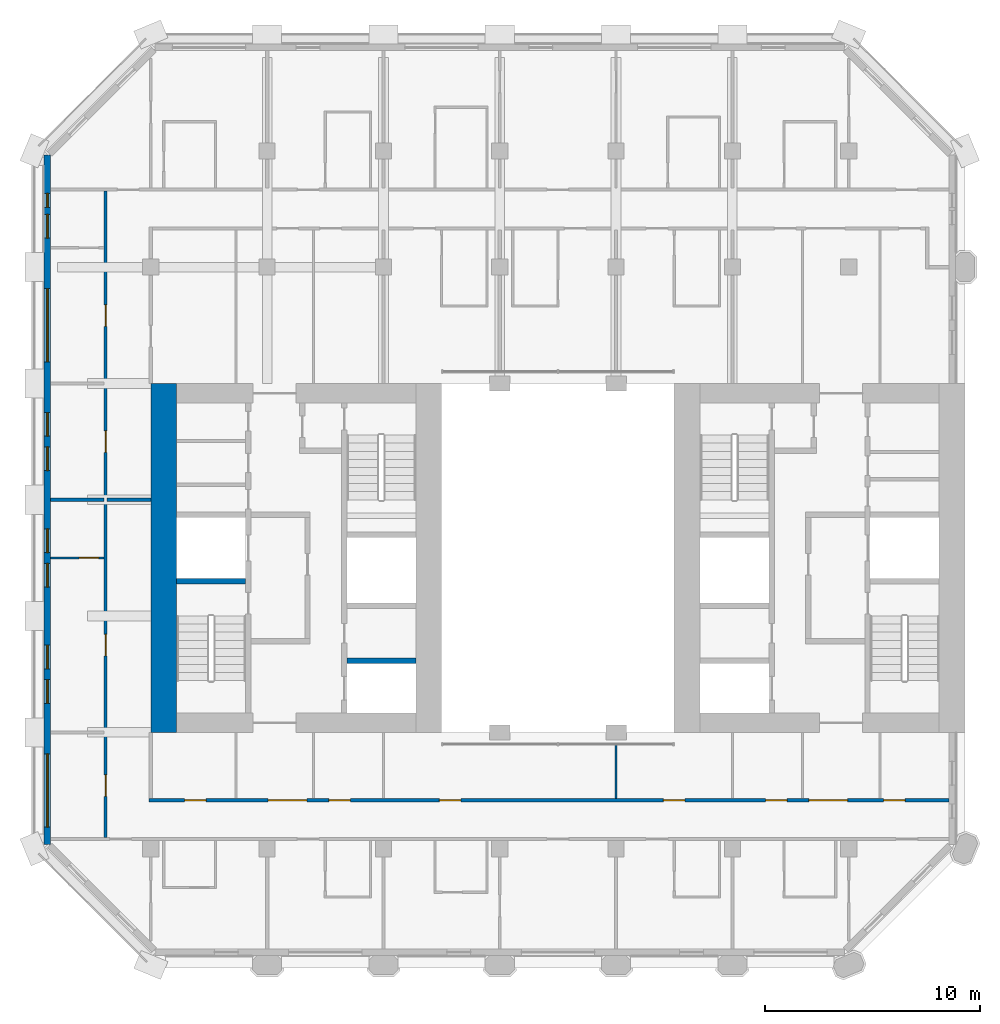
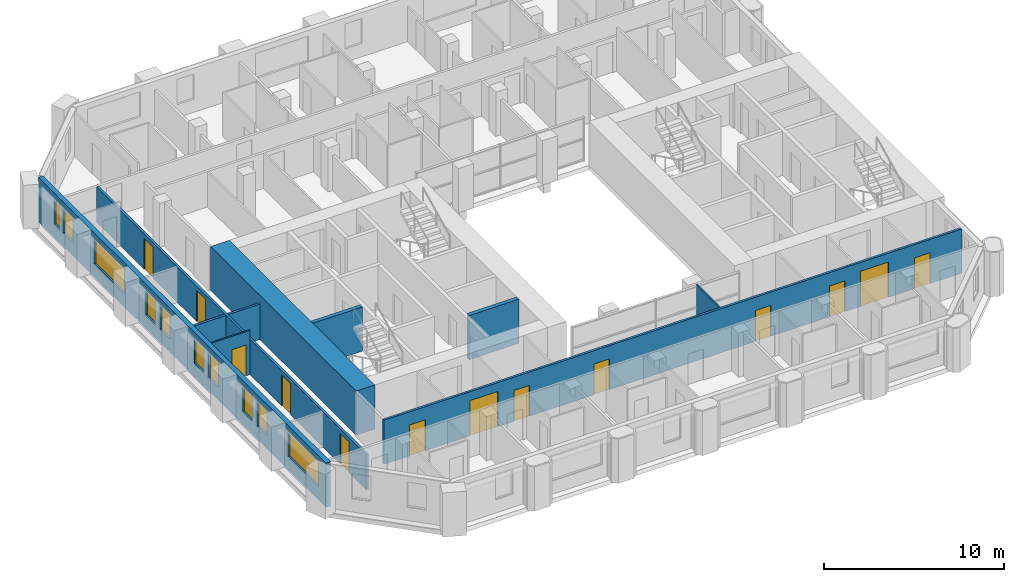
# One storey, part 7 of 14: 13 doors, 10 walls, 10 windows, 23 openings.
"""IFC4 building model written with IfcOpenShell, lengths in metres."""

import ifcopenshell
import ifcopenshell.guid

model = None  # the IFC model being written
_history = None  # IfcOwnerHistory: only IFC2X3 demands one
_inside = {}  # id of a spatial element -> (the spatial element, [elements in it])
_under = {}  # id of a project, library or spatial element -> (it, [spatial elements below it])
_declared = {}  # id of a project -> (the project, [libraries it declares])
_typed = {}  # id of a type object -> (the type object, [elements of that type])
_made_of = {}  # id of a material, layer set ... -> (it, [elements and type objects made of it])


def new_model(schema):
    """Start an empty IFC model of exactly this schema.

    Asked for "IFC4X3", IfcOpenShell would pick the latest addendum, in which some entities
    have other attributes; the version numbers below select the first issue.
    IFC2X3 requires an IfcOwnerHistory on every rooted entity: one is made here for all.
    """
    global model, _history
    if schema == "IFC4X3":
        model = ifcopenshell.file(schema_version=(4, 3, 0, 0))
    else:
        model = ifcopenshell.file(schema=schema)
    _inside.clear()
    _under.clear()
    _declared.clear()
    _typed.clear()
    _made_of.clear()
    _history = None
    if model.schema == "IFC2X3":
        org = make("IfcOrganization", Name="unknown")
        user = make(
            "IfcPersonAndOrganization",
            ThePerson=make("IfcPerson", FamilyName="unknown"),
            TheOrganization=org,
        )
        app = make(
            "IfcApplication",
            ApplicationDeveloper=org,
            Version="unknown",
            ApplicationFullName="unknown",
            ApplicationIdentifier="unknown",
        )
        _history = make(
            "IfcOwnerHistory",
            OwningUser=user,
            OwningApplication=app,
            ChangeAction="ADDED",
            CreationDate=0,
        )
    return model


def make(cls, **values):
    """One entity of the class cls with the attributes given. An attribute that is None is left unset."""
    return model.create_entity(
        cls, **{name: value for name, value in values.items() if value is not None}
    )


def rooted(cls, **values):
    """An entity with a GlobalId (a new one), such as an element, a storey or a relation."""
    return make(cls, GlobalId=ifcopenshell.guid.new(), OwnerHistory=_history, **values)


def si_unit(unit_type, name, prefix=None):
    """IfcSIUnit, for example si_unit("LENGTHUNIT", "METRE", prefix="MILLI")."""
    return make("IfcSIUnit", UnitType=unit_type, Prefix=prefix, Name=name)


def assignment(units):
    """IfcUnitAssignment: the units of a project."""
    return None if units is None else make("IfcUnitAssignment", Units=units)


def point(xyz):
    """IfcCartesianPoint."""
    return None if xyz is None else make("IfcCartesianPoint", Coordinates=xyz)


def direction(xyz):
    """IfcDirection."""
    return None if xyz is None else make("IfcDirection", DirectionRatios=xyz)


def frame(location, z_axis=None, x_axis=None):
    """IfcAxis2Placement3D, a coordinate frame: its origin and axes. An axis left out is left unset."""
    return make(
        "IfcAxis2Placement3D",
        Location=point(location),
        Axis=direction(z_axis),
        RefDirection=direction(x_axis),
    )


def frame_2d(location, x_axis=None):
    """IfcAxis2Placement2D, a coordinate frame in the plane: its origin and x axis."""
    return make(
        "IfcAxis2Placement2D", Location=point(location), RefDirection=direction(x_axis)
    )


def origin():
    """The frame at (0, 0, 0) with its axes left unset."""
    return frame((0.0, 0.0, 0.0))


def place(relative_to, where):
    """IfcLocalPlacement: puts the frame where relative to a parent placement (None: the world)."""
    return make(
        "IfcLocalPlacement", PlacementRelTo=relative_to, RelativePlacement=where
    )


def context(
    kind, dimensions, precision=None, world=None, true_north=None, identifier=None
):
    """IfcGeometricRepresentationContext, for example the 3D "Model" context."""
    return make(
        "IfcGeometricRepresentationContext",
        ContextIdentifier=identifier,
        ContextType=kind,
        CoordinateSpaceDimension=dimensions,
        Precision=precision,
        WorldCoordinateSystem=world,
        TrueNorth=true_north,
    )


def subcontext(parent, identifier, kind, view, scale=None):
    """IfcGeometricRepresentationSubContext, for example "Body" below "Model"."""
    return make(
        "IfcGeometricRepresentationSubContext",
        ContextIdentifier=identifier,
        ContextType=kind,
        ParentContext=parent,
        TargetScale=scale,
        TargetView=view,
    )


def project(units=None, contexts=None):
    """IfcProject with its units and contexts."""
    return rooted(
        "IfcProject",
        Name="project",
        RepresentationContexts=contexts,
        UnitsInContext=assignment(units),
    )


def spatial(cls, under=None, at=None, **own):
    """A site, building, storey or space (cls), placed at a placement, below another one or the project."""
    s = rooted(cls, ObjectPlacement=at, **own)
    if under is not None:
        _under.setdefault(under.id(), (under, []))[1].append(s)
    return s


def profile(cls, at=None, kind="AREA", **sizes):
    """A parametric profile (cls). Its sizes go by their IFC names, for example OverallWidth=200.0."""
    return make(cls, ProfileType=kind, Position=at, **sizes)


def rectangle(**sizes):
    """IfcRectangleProfileDef."""
    return profile("IfcRectangleProfileDef", **sizes)


def extrude(swept, where, along, depth):
    """IfcExtrudedAreaSolid: the profile swept, set in the frame where, extruded along a direction by depth."""
    return make(
        "IfcExtrudedAreaSolid",
        SweptArea=swept,
        Position=where,
        ExtrudedDirection=direction(along),
        Depth=depth,
    )


def shape(context_of_items, identifier, shape_type, items):
    """IfcShapeRepresentation: the items that make up one representation, for example the "Body"."""
    return make(
        "IfcShapeRepresentation",
        ContextOfItems=context_of_items,
        RepresentationIdentifier=identifier,
        RepresentationType=shape_type,
        Items=items,
    )


def material(Name=None, Category=None):
    """IfcMaterial."""
    return make("IfcMaterial", Name=Name, Category=Category)


def layer(
    of_material, thickness, ventilated=None, Name=None, Category=None, Priority=None
):
    """IfcMaterialLayer: one layer of a wall or slab, of a material (None: an air gap)."""
    return make(
        "IfcMaterialLayer",
        Material=of_material,
        LayerThickness=thickness,
        IsVentilated=ventilated,
        Name=Name,
        Category=Category,
        Priority=Priority,
    )


def layer_set(layers, Name=None):
    """IfcMaterialLayerSet."""
    return make("IfcMaterialLayerSet", MaterialLayers=layers, LayerSetName=Name)


def made_of(thing, what):
    """Note that an element or type object is made of a material, layer set ...; save() writes the relation."""
    if what is not None:
        _made_of.setdefault(what.id(), (what, []))[1].append(thing)
    return thing


def type_object(cls, material=None, **own):
    """A type object (cls), such as IfcWallType, which elements share."""
    return made_of(rooted(cls, **own), material)


def element(
    cls,
    number,
    at=None,
    inside=None,
    cuts=None,
    type_object=None,
    material=None,
    context=None,
    identifier="Body",
    shape_type=None,
    held_by="IfcProductDefinitionShape",
    body=None,
    shapes=None,
    **own,
):
    """One element of the class cls, such as IfcWall. Its Tag is "e" and its number.

    at: its placement. inside: the storey or other place that contains it. cuts: it is an
    opening in that element (IfcRelVoidsElement). A single representation is given by context,
    identifier, shape_type and body (its items); several are given by shapes. held_by: the class
    of the entity that holds the representations. save() writes the other relations.
    """
    e = rooted(cls, Tag="e%d" % number, ObjectPlacement=at, **own)
    if body is not None:
        shapes = [shape(context, identifier, shape_type, body)]
    if shapes is not None:
        e.Representation = make(held_by, Representations=shapes)
    if inside is not None:
        _inside.setdefault(inside.id(), (inside, []))[1].append(e)
    if cuts is not None:
        rooted(
            "IfcRelVoidsElement", RelatingBuildingElement=cuts, RelatedOpeningElement=e
        )
    if type_object is not None:
        _typed.setdefault(type_object.id(), (type_object, []))[1].append(e)
    return made_of(e, material)


def fill(opening, filler):
    """IfcRelFillsElement: the door or window that sits in an opening."""
    return rooted(
        "IfcRelFillsElement",
        RelatingOpeningElement=opening,
        RelatedBuildingElement=filler,
    )


def aggregate(whole, parts):
    """IfcRelAggregates: a whole, such as a stair, and the parts it consists of."""
    return rooted("IfcRelAggregates", RelatingObject=whole, RelatedObjects=parts)


def save(model, path):
    """Write the relations noted so far, then the file.

    IfcRelAggregates (storeys below a building ...), IfcRelContainedInSpatialStructure (elements
    in a storey), IfcRelDefinesByType, IfcRelAssociatesMaterial and IfcRelDeclares: one each for
    every whole, place, type object, material and project.
    """
    for whole, parts in _under.values():
        aggregate(whole, parts)
    for where, things in _inside.values():
        rooted(
            "IfcRelContainedInSpatialStructure",
            RelatedElements=things,
            RelatingStructure=where,
        )
    for kind, things in _typed.values():
        rooted("IfcRelDefinesByType", RelatedObjects=things, RelatingType=kind)
    for what, things in _made_of.values():
        rooted("IfcRelAssociatesMaterial", RelatedObjects=things, RelatingMaterial=what)
    for by, libraries in _declared.values():
        rooted("IfcRelDeclares", RelatingContext=by, RelatedDefinitions=libraries)
    model.write(path)


model = new_model("IFC4")

# Units and contexts
model_context = context("Model", 3, precision=1e-05, world=origin(), true_north=direction((0.0, 1.0)))
body_context = subcontext(model_context, "Body", "Model", "MODEL_VIEW")
ifc_project = project(units=[si_unit("LENGTHUNIT", "METRE"), si_unit("AREAUNIT", "SQUARE_METRE"), si_unit("VOLUMEUNIT", "CUBIC_METRE"), si_unit("PLANEANGLEUNIT", "RADIAN"), si_unit("MASSUNIT", "GRAM", prefix="KILO")], contexts=[model_context])

# Site, building, storey
site_placement = place(None, origin())
site = spatial("IfcSite", under=ifc_project, at=site_placement, CompositionType="ELEMENT")
building_placement = place(site_placement, origin())
building = spatial("IfcBuilding", under=site, at=building_placement, Name="Tabaq Tower and Sports Hall", CompositionType="ELEMENT")
storey_placement = place(building_placement, frame((0.0, 0.0, 217.0)))
storey = spatial("IfcBuildingStorey", under=building, at=storey_placement, Name="L54", CompositionType="ELEMENT", Elevation=217.0)

# Walls
ifc_material_1 = material(Name="Concrete C50/60", Category="concrete")
ifc_layer_1 = layer(ifc_material_1, 1.199951171875)
ifc_layer_set_1 = layer_set([ifc_layer_1], Name="Core wall 1200 Concrete C50/60")
wall_type_1 = type_object("IfcWallType", Name="Core wall 1200 Concrete C50/60", PredefinedType="SOLIDWALL", material=ifc_layer_set_1)
wall_1_placement = place(storey_placement, frame((6.0, 16.199951171875, 0.0), z_axis=(0.0, 0.0, 1.0), x_axis=(0.0, 1.0, 0.0)))
element("IfcWall", 1, at=wall_1_placement, inside=storey, type_object=wall_type_1, Name="Core wall W L54", PredefinedType="SOLIDWALL", context=body_context, shape_type="SweptSolid", body=[
    extrude(rectangle(XDim=16.199951171875, YDim=1.199951171875, at=frame_2d((8.10009765625, 0.0))), origin(), (0.0, 0.0, 1.0), 3.0),
])
ifc_material_2 = material(Name="Gypsum board on steel studs", Category="steel")
ifc_layer_2 = layer(ifc_material_2, 0.10009765625)
ifc_layer_set_2 = layer_set([ifc_layer_2], Name="Partition 100 Gypsum board")
wall_type_2 = type_object("IfcWallType", Name="Partition 100 Gypsum board", PredefinedType="PARTITIONING", material=ifc_layer_set_2)
wall_2_placement = place(storey_placement, frame((27.0, 15.705078125, 0.0), z_axis=(0.0, 0.0, 1.0), x_axis=(0.0, -1.0, 0.0)))
element("IfcWall", 2, at=wall_2_placement, inside=storey, type_object=wall_type_2, Name="Partition wall L54", PredefinedType="PARTITIONING", context=body_context, shape_type="SweptSolid", body=[
    extrude(rectangle(XDim=2.580078125, YDim=0.10009765625, at=frame_2d((1.2900390625, 0.0))), origin(), (0.0, 0.0, 1.0), 3.0),
])

# Wall, opening, door
wall_3_placement = place(storey_placement, frame((3.22509765625, 24.300048828125, 0.0), z_axis=(0.0, 0.0, 1.0), x_axis=(-1.0, 0.0, 0.0)))
wall_3 = element("IfcWall", 3, at=wall_3_placement, inside=storey, type_object=wall_type_2, Name="Partition wall L54", PredefinedType="PARTITIONING", context=body_context, shape_type="SweptSolid", body=[
    extrude(rectangle(XDim=2.47412109375, YDim=0.10009765625, at=frame_2d((1.237060546875, 0.0))), origin(), (0.0, 0.0, 1.0), 3.0),
])
opening_1_placement = place(wall_3_placement, frame((0.25, 0.0, 0.0)))
opening_1 = element("IfcOpeningElement", 4, at=opening_1_placement, cuts=wall_3, Name="Opening L54-023", PredefinedType="OPENING", context=body_context, shape_type="SweptSolid", body=[
    extrude(rectangle(XDim=0.89990234375, YDim=2.10009765625, at=frame_2d((0.449951171875, 1.050048828125))), frame((0.0, 0.050048828125, 0.0), z_axis=(0.0, -1.0, 0.0), x_axis=(1.0, 0.0, 0.0)), (0.0, 0.0, 1.0), 0.10009765625),
])
ifc_material_3 = material(Name="Timber leaf in steel frame", Category="steel")
door_type_1 = type_object("IfcDoorType", Name="Internal door 900 left hand", OperationType="SINGLE_SWING_LEFT", PredefinedType="DOOR", material=ifc_material_3)
door_1_placement = place(opening_1_placement, origin())
door_1 = element("IfcDoor", 5, at=door_1_placement, inside=storey, type_object=door_type_1, Name="Internal door L54-023", OperationType="SINGLE_SWING_LEFT", OverallHeight=2.10009765625, OverallWidth=0.89990234375, PredefinedType="DOOR", context=body_context, shape_type="SweptSolid", body=[
    extrude(rectangle(XDim=0.89990234375, YDim=2.10009765625, at=frame_2d((0.449951171875, 1.050048828125))), frame((0.0, 0.02490234375, 0.0), z_axis=(0.0, -1.0, 0.0), x_axis=(1.0, 0.0, 0.0)), (0.0, 0.0, 1.0), 0.050048828125),
])
fill(opening_1, door_1)

# Walls
ifc_material_4 = material(Name="Blockwork", Category="masonry")
ifc_layer_3 = layer(ifc_material_4, 0.14990234375)
ifc_layer_set_3 = layer_set([ifc_layer_3], Name="Separating wall 150 Blockwork")
wall_type_3 = type_object("IfcWallType", Name="Separating wall 150 Blockwork", PredefinedType="PARTITIONING", material=ifc_layer_set_3)
wall_4_placement = place(storey_placement, frame((0.7509765625, 27.0, 0.0), z_axis=(0.0, 0.0, 1.0), x_axis=(1.0, 0.0, 0.0)))
element("IfcWall", 6, at=wall_4_placement, inside=storey, type_object=wall_type_3, Name="Separating wall L54", PredefinedType="PARTITIONING", context=body_context, shape_type="SweptSolid", body=[
    extrude(rectangle(XDim=2.47412109375, YDim=0.14990234375, at=frame_2d((1.237060546875, 0.0))), origin(), (0.0, 0.0, 1.0), 2.39990234375),
])
wall_5_placement = place(storey_placement, frame((3.375, 27.0, 0.0), z_axis=(0.0, 0.0, 1.0), x_axis=(1.0, 0.0, 0.0)))
element("IfcWall", 7, at=wall_5_placement, inside=storey, type_object=wall_type_3, Name="Separating wall L54", PredefinedType="PARTITIONING", context=body_context, shape_type="SweptSolid", body=[
    extrude(rectangle(XDim=2.02490234375, YDim=0.14990234375, at=frame_2d((1.012451171875, 0.0))), origin(), (0.0, 0.0, 1.0), 2.39990234375),
])

# Wall, openings, doors
wall_6_placement = place(storey_placement, frame((3.300048828125, 11.324951171875, 0.0), z_axis=(0.0, 0.0, 1.0), x_axis=(0.0, 1.0, 0.0)))
wall_6 = element("IfcWall", 8, at=wall_6_placement, inside=storey, type_object=wall_type_3, Name="Separating wall L54", PredefinedType="PARTITIONING", context=body_context, shape_type="SweptSolid", body=[
    extrude(rectangle(XDim=30.0, YDim=0.14990234375, at=frame_2d((15.0, 0.0))), origin(), (0.0, 0.0, 1.0), 2.39990234375),
])
opening_2_placement = place(wall_6_placement, frame((17.875, 0.0, 0.0)))
opening_2 = element("IfcOpeningElement", 9, at=opening_2_placement, cuts=wall_6, Name="Opening L54-010", PredefinedType="OPENING", context=body_context, shape_type="SweptSolid", body=[
    extrude(rectangle(XDim=1.0, YDim=2.10009765625, at=frame_2d((0.5, 1.050048828125))), frame((0.0, 0.074951171875, 0.0), z_axis=(0.0, -1.0, 0.0), x_axis=(1.0, 0.0, 0.0)), (0.0, 0.0, 1.0), 0.14990234375),
])
opening_3_placement = place(wall_6_placement, frame((1.89990234375, 0.0, 0.0)))
opening_3 = element("IfcOpeningElement", 10, at=opening_3_placement, cuts=wall_6, Name="Opening L54-015", PredefinedType="OPENING", context=body_context, shape_type="SweptSolid", body=[
    extrude(rectangle(XDim=1.0, YDim=2.10009765625, at=frame_2d((0.5, 1.050048828125))), frame((0.0, 0.074951171875, 0.0), z_axis=(0.0, -1.0, 0.0), x_axis=(1.0, 0.0, 0.0)), (0.0, 0.0, 1.0), 0.14990234375),
])
opening_4_placement = place(wall_6_placement, frame((23.72509765625, 0.0, 0.0)))
opening_4 = element("IfcOpeningElement", 11, at=opening_4_placement, cuts=wall_6, Name="Opening L54-031", PredefinedType="OPENING", context=body_context, shape_type="SweptSolid", body=[
    extrude(rectangle(XDim=1.0, YDim=2.10009765625, at=frame_2d((0.5, 1.050048828125))), frame((0.0, 0.074951171875, 0.0), z_axis=(0.0, -1.0, 0.0), x_axis=(1.0, 0.0, 0.0)), (0.0, 0.0, 1.0), 0.14990234375),
])
opening_5_placement = place(wall_6_placement, frame((8.425048828125, 0.0, 0.0)))
opening_5 = element("IfcOpeningElement", 12, at=opening_5_placement, cuts=wall_6, Name="Opening L54-049", PredefinedType="OPENING", context=body_context, shape_type="SweptSolid", body=[
    extrude(rectangle(XDim=1.0, YDim=2.10009765625, at=frame_2d((0.5, 1.050048828125))), frame((0.0, 0.074951171875, 0.0), z_axis=(0.0, -1.0, 0.0), x_axis=(1.0, 0.0, 0.0)), (0.0, 0.0, 1.0), 0.14990234375),
])
ifc_material_5 = material(Name="Steel fire door", Category="steel")
door_type_2 = type_object("IfcDoorType", Name="Entrance door 1000 left hand", OperationType="SINGLE_SWING_LEFT", PredefinedType="DOOR", material=ifc_material_5)
door_2_placement = place(opening_4_placement, origin())
door_2 = element("IfcDoor", 13, at=door_2_placement, inside=storey, type_object=door_type_2, Name="Entrance door L54-031", OperationType="SINGLE_SWING_LEFT", OverallHeight=2.10009765625, OverallWidth=1.0, PredefinedType="DOOR", context=body_context, shape_type="SweptSolid", body=[
    extrude(rectangle(XDim=1.0, YDim=2.10009765625, at=frame_2d((0.5, 1.050048828125))), frame((0.0, 0.02490234375, 0.0), z_axis=(0.0, -1.0, 0.0), x_axis=(1.0, 0.0, 0.0)), (0.0, 0.0, 1.0), 0.050048828125),
])
fill(opening_4, door_2)
door_3_placement = place(opening_5_placement, origin())
door_3 = element("IfcDoor", 14, at=door_3_placement, inside=storey, type_object=door_type_2, Name="Entrance door L54-049", OperationType="SINGLE_SWING_LEFT", OverallHeight=2.10009765625, OverallWidth=1.0, PredefinedType="DOOR", context=body_context, shape_type="SweptSolid", body=[
    extrude(rectangle(XDim=1.0, YDim=2.10009765625, at=frame_2d((0.5, 1.050048828125))), frame((0.0, 0.02490234375, 0.0), z_axis=(0.0, -1.0, 0.0), x_axis=(1.0, 0.0, 0.0)), (0.0, 0.0, 1.0), 0.050048828125),
])
fill(opening_5, door_3)
ifc_material_6 = material(Name="Timber leaf in steel frame", Category="steel")
door_type_3 = type_object("IfcDoorType", Name="Internal door 1000 left hand", OperationType="SINGLE_SWING_LEFT", PredefinedType="DOOR", material=ifc_material_6)
door_4_placement = place(opening_3_placement, origin())
door_4 = element("IfcDoor", 15, at=door_4_placement, inside=storey, type_object=door_type_3, Name="Internal door L54-015", OperationType="SINGLE_SWING_LEFT", OverallHeight=2.10009765625, OverallWidth=1.0, PredefinedType="DOOR", context=body_context, shape_type="SweptSolid", body=[
    extrude(rectangle(XDim=1.0, YDim=2.10009765625, at=frame_2d((0.5, 1.050048828125))), frame((0.0, 0.02490234375, 0.0), z_axis=(0.0, -1.0, 0.0), x_axis=(1.0, 0.0, 0.0)), (0.0, 0.0, 1.0), 0.050048828125),
])
fill(opening_3, door_4)
ifc_material_7 = material(Name="Timber leaf in steel frame", Category="steel")
door_type_4 = type_object("IfcDoorType", Name="Internal door 1000 right hand", OperationType="SINGLE_SWING_RIGHT", PredefinedType="DOOR", material=ifc_material_7)
door_5_placement = place(opening_2_placement, origin())
door_5 = element("IfcDoor", 16, at=door_5_placement, inside=storey, type_object=door_type_4, Name="Internal door L54-010", OperationType="SINGLE_SWING_RIGHT", OverallHeight=2.10009765625, OverallWidth=1.0, PredefinedType="DOOR", context=body_context, shape_type="SweptSolid", body=[
    extrude(rectangle(XDim=1.0, YDim=2.10009765625, at=frame_2d((0.5, 1.050048828125))), frame((0.0, 0.02490234375, 0.0), z_axis=(0.0, -1.0, 0.0), x_axis=(1.0, 0.0, 0.0)), (0.0, 0.0, 1.0), 0.050048828125),
])
fill(opening_2, door_5)

wall_7_placement = place(storey_placement, frame((5.324951171875, 13.050048828125, 0.0), z_axis=(0.0, 0.0, 1.0), x_axis=(1.0, 0.0, 0.0)))
wall_7 = element("IfcWall", 17, at=wall_7_placement, inside=storey, type_object=wall_type_3, Name="Separating wall L54", PredefinedType="PARTITIONING", context=body_context, shape_type="SweptSolid", body=[
    extrude(rectangle(XDim=37.1240234375, YDim=0.14990234375, at=frame_2d((18.56201171875, 0.0))), origin(), (0.0, 0.0, 1.0), 3.0),
])
opening_6_placement = place(wall_7_placement, frame((23.875, 0.0, 0.0)))
opening_6 = element("IfcOpeningElement", 18, at=opening_6_placement, cuts=wall_7, Name="Opening L54-021", PredefinedType="OPENING", context=body_context, shape_type="SweptSolid", body=[
    extrude(rectangle(XDim=1.0, YDim=2.10009765625, at=frame_2d((0.5, 1.050048828125))), frame((0.0, 0.074951171875, 0.0), z_axis=(0.0, -1.0, 0.0), x_axis=(1.0, 0.0, 0.0)), (0.0, 0.0, 1.0), 0.14990234375),
])
opening_7_placement = place(wall_7_placement, frame((13.47509765625, 0.0, 0.0)))
opening_7 = element("IfcOpeningElement", 19, at=opening_7_placement, cuts=wall_7, Name="Opening L54-022", PredefinedType="OPENING", context=body_context, shape_type="SweptSolid", body=[
    extrude(rectangle(XDim=1.0, YDim=2.10009765625, at=frame_2d((0.5, 1.050048828125))), frame((0.0, 0.074951171875, 0.0), z_axis=(0.0, -1.0, 0.0), x_axis=(1.0, 0.0, 0.0)), (0.0, 0.0, 1.0), 0.14990234375),
])
opening_8_placement = place(wall_7_placement, frame((34.094970703125, 0.0, 0.0)))
opening_8 = element("IfcOpeningElement", 20, at=opening_8_placement, cuts=wall_7, Name="Opening L54-024", PredefinedType="OPENING", context=body_context, shape_type="SweptSolid", body=[
    extrude(rectangle(XDim=1.0, YDim=2.10009765625, at=frame_2d((0.5, 1.050048828125))), frame((0.0, 0.074951171875, 0.0), z_axis=(0.0, -1.0, 0.0), x_axis=(1.0, 0.0, 0.0)), (0.0, 0.0, 1.0), 0.14990234375),
])
opening_9_placement = place(wall_7_placement, frame((8.3369140625, 0.0, 0.0)))
opening_9 = element("IfcOpeningElement", 21, at=opening_9_placement, cuts=wall_7, Name="Opening L54-025", PredefinedType="OPENING", context=body_context, shape_type="SweptSolid", body=[
    extrude(rectangle(XDim=1.0, YDim=2.10009765625, at=frame_2d((0.5, 1.050048828125))), frame((0.0, 0.074951171875, 0.0), z_axis=(0.0, -1.0, 0.0), x_axis=(1.0, 0.0, 0.0)), (0.0, 0.0, 1.0), 0.14990234375),
])
opening_10_placement = place(wall_7_placement, frame((1.64794921875, 0.0, 0.0)))
opening_10 = element("IfcOpeningElement", 22, at=opening_10_placement, cuts=wall_7, Name="Opening L54-026", PredefinedType="OPENING", context=body_context, shape_type="SweptSolid", body=[
    extrude(rectangle(XDim=1.0, YDim=2.10009765625, at=frame_2d((0.5, 1.050048828125))), frame((0.0, 0.074951171875, 0.0), z_axis=(0.0, -1.0, 0.0), x_axis=(1.0, 0.0, 0.0)), (0.0, 0.0, 1.0), 0.14990234375),
])
opening_11_placement = place(wall_7_placement, frame((28.613037109375, 0.0, 0.0)))
opening_11 = element("IfcOpeningElement", 23, at=opening_11_placement, cuts=wall_7, Name="Opening L54-027", PredefinedType="OPENING", context=body_context, shape_type="SweptSolid", body=[
    extrude(rectangle(XDim=1.0, YDim=2.10009765625, at=frame_2d((0.5, 1.050048828125))), frame((0.0, 0.074951171875, 0.0), z_axis=(0.0, -1.0, 0.0), x_axis=(1.0, 0.0, 0.0)), (0.0, 0.0, 1.0), 0.14990234375),
])
opening_12_placement = place(wall_7_placement, frame((30.625, 0.0, 0.0)))
opening_12 = element("IfcOpeningElement", 24, at=opening_12_placement, cuts=wall_7, Name="Opening L54-050", PredefinedType="OPENING", context=body_context, shape_type="SweptSolid", body=[
    extrude(rectangle(XDim=1.800048828125, YDim=2.39990234375, at=frame_2d((0.89990234375, 1.199951171875))), frame((0.0, 0.074951171875, 0.0), z_axis=(0.0, -1.0, 0.0), x_axis=(1.0, 0.0, 0.0)), (0.0, 0.0, 1.0), 0.14990234375),
])
opening_13_placement = place(wall_7_placement, frame((5.52490234375, 0.0, 0.0)))
opening_13 = element("IfcOpeningElement", 25, at=opening_13_placement, cuts=wall_7, Name="Opening L54-051", PredefinedType="OPENING", context=body_context, shape_type="SweptSolid", body=[
    extrude(rectangle(XDim=1.800048828125, YDim=2.39990234375, at=frame_2d((0.89990234375, 1.199951171875))), frame((0.0, 0.074951171875, 0.0), z_axis=(0.0, -1.0, 0.0), x_axis=(1.0, 0.0, 0.0)), (0.0, 0.0, 1.0), 0.14990234375),
])
door_6_placement = place(opening_6_placement, origin())
door_6 = element("IfcDoor", 26, at=door_6_placement, inside=storey, type_object=door_type_3, Name="Internal door L54-021", OperationType="SINGLE_SWING_LEFT", OverallHeight=2.10009765625, OverallWidth=1.0, PredefinedType="DOOR", context=body_context, shape_type="SweptSolid", body=[
    extrude(rectangle(XDim=1.0, YDim=2.10009765625, at=frame_2d((0.5, 1.050048828125))), frame((0.0, 0.02490234375, 0.0), z_axis=(0.0, -1.0, 0.0), x_axis=(1.0, 0.0, 0.0)), (0.0, 0.0, 1.0), 0.050048828125),
])
fill(opening_6, door_6)
door_7_placement = place(opening_7_placement, origin())
door_7 = element("IfcDoor", 27, at=door_7_placement, inside=storey, type_object=door_type_3, Name="Internal door L54-022", OperationType="SINGLE_SWING_LEFT", OverallHeight=2.10009765625, OverallWidth=1.0, PredefinedType="DOOR", context=body_context, shape_type="SweptSolid", body=[
    extrude(rectangle(XDim=1.0, YDim=2.10009765625, at=frame_2d((0.5, 1.050048828125))), frame((0.0, 0.02490234375, 0.0), z_axis=(0.0, -1.0, 0.0), x_axis=(1.0, 0.0, 0.0)), (0.0, 0.0, 1.0), 0.050048828125),
])
fill(opening_7, door_7)
door_8_placement = place(opening_9_placement, origin())
door_8 = element("IfcDoor", 28, at=door_8_placement, inside=storey, type_object=door_type_3, Name="Internal door L54-025", OperationType="SINGLE_SWING_LEFT", OverallHeight=2.10009765625, OverallWidth=1.0, PredefinedType="DOOR", context=body_context, shape_type="SweptSolid", body=[
    extrude(rectangle(XDim=1.0, YDim=2.10009765625, at=frame_2d((0.5, 1.050048828125))), frame((0.0, 0.02490234375, 0.0), z_axis=(0.0, -1.0, 0.0), x_axis=(1.0, 0.0, 0.0)), (0.0, 0.0, 1.0), 0.050048828125),
])
fill(opening_9, door_8)
door_9_placement = place(opening_11_placement, origin())
door_9 = element("IfcDoor", 29, at=door_9_placement, inside=storey, type_object=door_type_3, Name="Internal door L54-027", OperationType="SINGLE_SWING_LEFT", OverallHeight=2.10009765625, OverallWidth=1.0, PredefinedType="DOOR", context=body_context, shape_type="SweptSolid", body=[
    extrude(rectangle(XDim=1.0, YDim=2.10009765625, at=frame_2d((0.5, 1.050048828125))), frame((0.0, 0.02490234375, 0.0), z_axis=(0.0, -1.0, 0.0), x_axis=(1.0, 0.0, 0.0)), (0.0, 0.0, 1.0), 0.050048828125),
])
fill(opening_11, door_9)
door_10_placement = place(opening_8_placement, origin())
door_10 = element("IfcDoor", 30, at=door_10_placement, inside=storey, type_object=door_type_4, Name="Internal door L54-024", OperationType="SINGLE_SWING_RIGHT", OverallHeight=2.10009765625, OverallWidth=1.0, PredefinedType="DOOR", context=body_context, shape_type="SweptSolid", body=[
    extrude(rectangle(XDim=1.0, YDim=2.10009765625, at=frame_2d((0.5, 1.050048828125))), frame((0.0, 0.02490234375, 0.0), z_axis=(0.0, -1.0, 0.0), x_axis=(1.0, 0.0, 0.0)), (0.0, 0.0, 1.0), 0.050048828125),
])
fill(opening_8, door_10)
door_11_placement = place(opening_10_placement, origin())
door_11 = element("IfcDoor", 31, at=door_11_placement, inside=storey, type_object=door_type_4, Name="Internal door L54-026", OperationType="SINGLE_SWING_RIGHT", OverallHeight=2.10009765625, OverallWidth=1.0, PredefinedType="DOOR", context=body_context, shape_type="SweptSolid", body=[
    extrude(rectangle(XDim=1.0, YDim=2.10009765625, at=frame_2d((0.5, 1.050048828125))), frame((0.0, 0.02490234375, 0.0), z_axis=(0.0, -1.0, 0.0), x_axis=(1.0, 0.0, 0.0)), (0.0, 0.0, 1.0), 0.050048828125),
])
fill(opening_10, door_11)
ifc_material_8 = material(Name="Timber leaf in steel frame", Category="steel")
door_type_5 = type_object("IfcDoorType", Name="Internal door 1800", OperationType="DOUBLE_DOOR_SINGLE_SWING", PredefinedType="DOOR", material=ifc_material_8)
door_12_placement = place(opening_12_placement, origin())
door_12 = element("IfcDoor", 32, at=door_12_placement, inside=storey, type_object=door_type_5, Name="Internal door L54-050", OperationType="DOUBLE_DOOR_SINGLE_SWING", OverallHeight=2.39990234375, OverallWidth=1.800048828125, PredefinedType="DOOR", context=body_context, shape_type="SweptSolid", body=[
    extrude(rectangle(XDim=1.800048828125, YDim=2.39990234375, at=frame_2d((0.89990234375, 1.199951171875))), frame((0.0, 0.02490234375, 0.0), z_axis=(0.0, -1.0, 0.0), x_axis=(1.0, 0.0, 0.0)), (0.0, 0.0, 1.0), 0.050048828125),
])
fill(opening_12, door_12)
door_13_placement = place(opening_13_placement, origin())
door_13 = element("IfcDoor", 33, at=door_13_placement, inside=storey, type_object=door_type_5, Name="Internal door L54-051", OperationType="DOUBLE_DOOR_SINGLE_SWING", OverallHeight=2.39990234375, OverallWidth=1.800048828125, PredefinedType="DOOR", context=body_context, shape_type="SweptSolid", body=[
    extrude(rectangle(XDim=1.800048828125, YDim=2.39990234375, at=frame_2d((0.89990234375, 1.199951171875))), frame((0.0, 0.02490234375, 0.0), z_axis=(0.0, -1.0, 0.0), x_axis=(1.0, 0.0, 0.0)), (0.0, 0.0, 1.0), 0.050048828125),
])
fill(opening_13, door_13)

# Walls
ifc_material_9 = material(Name="Concrete C40/50", Category="concrete")
ifc_layer_4 = layer(ifc_material_9, 0.25)
ifc_layer_set_4 = layer_set([ifc_layer_4], Name="Shaft and stair wall 250 Concrete C40/50")
wall_type_4 = type_object("IfcWallType", Name="Shaft and stair wall 250 Concrete C40/50", PredefinedType="SOLIDWALL", material=ifc_layer_set_4)
for number, where, z_axis, x_axis, name in (
    (34, (6.60009765625, 23.22509765625, 0.0), (0.0, 0.0, 1.0), (1.0, 0.0, 0.0), "Stair enclosure wall W L54"),
    (35, (14.5, 19.52490234375, 0.0), (0.0, 0.0, 1.0), (1.0, 0.0, 0.0), "Shaft wall W L54"),
):
    element("IfcWall", number, at=place(storey_placement, frame(where, z_axis=z_axis, x_axis=x_axis)), inside=storey, type_object=wall_type_4, Name=name, PredefinedType="SOLIDWALL", context=body_context, shape_type="SweptSolid", body=[
        extrude(rectangle(XDim=3.199951171875, YDim=0.25, at=frame_2d((1.60009765625, 0.0))), origin(), (0.0, 0.0, 1.0), 3.0),
    ])

# Wall, openings, windows
ifc_material_10 = material(Name="White precast concrete C60/75", Category="concrete")
ifc_layer_5 = layer(ifc_material_10, 0.300048828125)
ifc_layer_set_5 = layer_set([ifc_layer_5], Name="White precast concrete C60/75 external wall 300")
wall_type_5 = type_object("IfcWallType", Name="White precast concrete C60/75 external wall 300", PredefinedType="SOLIDWALL", material=ifc_layer_set_5)
wall_8_placement = place(storey_placement, frame((0.60009765625, 43.013671875, 0.0), z_axis=(0.0, 0.0, 1.0), x_axis=(0.0, -1.0, 0.0)))
wall_8 = element("IfcWall", 36, at=wall_8_placement, inside=storey, type_object=wall_type_5, Name="External Wall L54 W", PredefinedType="SOLIDWALL", context=body_context, shape_type="SweptSolid", body=[
    extrude(rectangle(XDim=32.02734375, YDim=0.300048828125, at=frame_2d((16.013671875, 0.0))), origin(), (0.0, 0.0, 1.0), 3.0),
])
opening_14_placement = place(wall_8_placement, frame((1.78857421875, 0.0, 0.89990234375)))
opening_14 = element("IfcOpeningElement", 37, at=opening_14_placement, cuts=wall_8, Name="Opening W1C", PredefinedType="OPENING", context=body_context, shape_type="SweptSolid", body=[
    extrude(rectangle(XDim=0.64990234375, YDim=1.699951171875, at=frame_2d((0.324951171875, 0.85009765625))), frame((0.0, 0.16015625, 0.0), z_axis=(0.0, -1.0, 0.0), x_axis=(1.0, 0.0, 0.0)), (0.0, 0.0, 1.0), 0.320068359375),
])
opening_15_placement = place(wall_8_placement, frame((2.763671875, 0.0, 0.89990234375)))
opening_15 = element("IfcOpeningElement", 38, at=opening_15_placement, cuts=wall_8, Name="Opening W1B", PredefinedType="OPENING", context=body_context, shape_type="SweptSolid", body=[
    extrude(rectangle(XDim=1.10009765625, YDim=1.699951171875, at=frame_2d((0.550048828125, 0.85009765625))), frame((0.0, 0.16015625, 0.0), z_axis=(0.0, -1.0, 0.0), x_axis=(1.0, 0.0, 0.0)), (0.0, 0.0, 1.0), 0.320068359375),
])
opening_16_placement = place(wall_8_placement, frame((6.213623046875, 0.0, 0.89990234375)))
opening_16 = element("IfcOpeningElement", 39, at=opening_16_placement, cuts=wall_8, Name="Opening W1A", PredefinedType="OPENING", context=body_context, shape_type="SweptSolid", body=[
    extrude(rectangle(XDim=3.39990234375, YDim=1.699951171875, at=frame_2d((1.699951171875, 0.85009765625))), frame((0.0, 0.16015625, 0.0), z_axis=(0.0, -1.0, 0.0), x_axis=(1.0, 0.0, 0.0)), (0.0, 0.0, 1.0), 0.320068359375),
])
opening_17_placement = place(wall_8_placement, frame((11.963623046875, 0.0, 0.89990234375)))
opening_17 = element("IfcOpeningElement", 40, at=opening_17_placement, cuts=wall_8, Name="Opening W1B", PredefinedType="OPENING", context=body_context, shape_type="SweptSolid", body=[
    extrude(rectangle(XDim=1.10009765625, YDim=1.699951171875, at=frame_2d((0.550048828125, 0.85009765625))), frame((0.0, 0.16015625, 0.0), z_axis=(0.0, -1.0, 0.0), x_axis=(1.0, 0.0, 0.0)), (0.0, 0.0, 1.0), 0.320068359375),
])
opening_18_placement = place(wall_8_placement, frame((13.563720703125, 0.0, 0.89990234375)))
opening_18 = element("IfcOpeningElement", 41, at=opening_18_placement, cuts=wall_8, Name="Opening W1B", PredefinedType="OPENING", context=body_context, shape_type="SweptSolid", body=[
    extrude(rectangle(XDim=1.10009765625, YDim=1.699951171875, at=frame_2d((0.550048828125, 0.85009765625))), frame((0.0, 0.16015625, 0.0), z_axis=(0.0, -1.0, 0.0), x_axis=(1.0, 0.0, 0.0)), (0.0, 0.0, 1.0), 0.320068359375),
])
opening_19_placement = place(wall_8_placement, frame((17.363525390625, 0.0, 0.89990234375)))
opening_19 = element("IfcOpeningElement", 42, at=opening_19_placement, cuts=wall_8, Name="Opening W1B", PredefinedType="OPENING", context=body_context, shape_type="SweptSolid", body=[
    extrude(rectangle(XDim=1.10009765625, YDim=1.699951171875, at=frame_2d((0.550048828125, 0.85009765625))), frame((0.0, 0.16015625, 0.0), z_axis=(0.0, -1.0, 0.0), x_axis=(1.0, 0.0, 0.0)), (0.0, 0.0, 1.0), 0.320068359375),
])
opening_20_placement = place(wall_8_placement, frame((18.963623046875, 0.0, 0.89990234375)))
opening_20 = element("IfcOpeningElement", 43, at=opening_20_placement, cuts=wall_8, Name="Opening W1B", PredefinedType="OPENING", context=body_context, shape_type="SweptSolid", body=[
    extrude(rectangle(XDim=1.10009765625, YDim=1.699951171875, at=frame_2d((0.550048828125, 0.85009765625))), frame((0.0, 0.16015625, 0.0), z_axis=(0.0, -1.0, 0.0), x_axis=(1.0, 0.0, 0.0)), (0.0, 0.0, 1.0), 0.320068359375),
])
opening_21_placement = place(wall_8_placement, frame((22.763671875, 0.0, 0.89990234375)))
opening_21 = element("IfcOpeningElement", 44, at=opening_21_placement, cuts=wall_8, Name="Opening W1B", PredefinedType="OPENING", context=body_context, shape_type="SweptSolid", body=[
    extrude(rectangle(XDim=1.10009765625, YDim=1.699951171875, at=frame_2d((0.550048828125, 0.85009765625))), frame((0.0, 0.16015625, 0.0), z_axis=(0.0, -1.0, 0.0), x_axis=(1.0, 0.0, 0.0)), (0.0, 0.0, 1.0), 0.320068359375),
])
opening_22_placement = place(wall_8_placement, frame((24.363525390625, 0.0, 0.89990234375)))
opening_22 = element("IfcOpeningElement", 45, at=opening_22_placement, cuts=wall_8, Name="Opening W1B", PredefinedType="OPENING", context=body_context, shape_type="SweptSolid", body=[
    extrude(rectangle(XDim=1.10009765625, YDim=1.699951171875, at=frame_2d((0.550048828125, 0.85009765625))), frame((0.0, 0.16015625, 0.0), z_axis=(0.0, -1.0, 0.0), x_axis=(1.0, 0.0, 0.0)), (0.0, 0.0, 1.0), 0.320068359375),
])
opening_23_placement = place(wall_8_placement, frame((27.813720703125, 0.0, 0.89990234375)))
opening_23 = element("IfcOpeningElement", 46, at=opening_23_placement, cuts=wall_8, Name="Opening W1A", PredefinedType="OPENING", context=body_context, shape_type="SweptSolid", body=[
    extrude(rectangle(XDim=3.39990234375, YDim=1.699951171875, at=frame_2d((1.699951171875, 0.85009765625))), frame((0.0, 0.16015625, 0.0), z_axis=(0.0, -1.0, 0.0), x_axis=(1.0, 0.0, 0.0)), (0.0, 0.0, 1.0), 0.320068359375),
])
ifc_material_11 = material(Name="Aluminium framed clear glazing", Category="aluminium")
window_type_1 = type_object("IfcWindowType", Name="Window W1A", PartitioningType="SINGLE_PANEL", PredefinedType="WINDOW", material=ifc_material_11)
window_1_placement = place(opening_16_placement, origin())
window_1 = element("IfcWindow", 47, at=window_1_placement, inside=storey, type_object=window_type_1, Name="Window W1A L54", OverallHeight=1.699951171875, OverallWidth=3.39990234375, PartitioningType="SINGLE_PANEL", PredefinedType="WINDOW", context=body_context, shape_type="SweptSolid", body=[
    extrude(rectangle(XDim=3.39990234375, YDim=1.699951171875, at=frame_2d((1.699951171875, 0.85009765625))), frame((0.0, 0.030029296875, 0.0), z_axis=(0.0, -1.0, 0.0), x_axis=(1.0, 0.0, 0.0)), (0.0, 0.0, 1.0), 0.06005859375),
])
fill(opening_16, window_1)
window_2_placement = place(opening_23_placement, origin())
window_2 = element("IfcWindow", 48, at=window_2_placement, inside=storey, type_object=window_type_1, Name="Window W1A L54", OverallHeight=1.699951171875, OverallWidth=3.39990234375, PartitioningType="SINGLE_PANEL", PredefinedType="WINDOW", context=body_context, shape_type="SweptSolid", body=[
    extrude(rectangle(XDim=3.39990234375, YDim=1.699951171875, at=frame_2d((1.699951171875, 0.85009765625))), frame((0.0, 0.030029296875, 0.0), z_axis=(0.0, -1.0, 0.0), x_axis=(1.0, 0.0, 0.0)), (0.0, 0.0, 1.0), 0.06005859375),
])
fill(opening_23, window_2)
ifc_material_12 = material(Name="Aluminium framed clear glazing", Category="aluminium")
window_type_2 = type_object("IfcWindowType", Name="Window W1B", PartitioningType="SINGLE_PANEL", PredefinedType="WINDOW", material=ifc_material_12)
window_3_placement = place(opening_15_placement, origin())
window_3 = element("IfcWindow", 49, at=window_3_placement, inside=storey, type_object=window_type_2, Name="Window W1B L54", OverallHeight=1.699951171875, OverallWidth=1.10009765625, PartitioningType="SINGLE_PANEL", PredefinedType="WINDOW", context=body_context, shape_type="SweptSolid", body=[
    extrude(rectangle(XDim=1.10009765625, YDim=1.699951171875, at=frame_2d((0.550048828125, 0.85009765625))), frame((0.0, 0.030029296875, 0.0), z_axis=(0.0, -1.0, 0.0), x_axis=(1.0, 0.0, 0.0)), (0.0, 0.0, 1.0), 0.06005859375),
])
fill(opening_15, window_3)
window_4_placement = place(opening_17_placement, origin())
window_4 = element("IfcWindow", 50, at=window_4_placement, inside=storey, type_object=window_type_2, Name="Window W1B L54", OverallHeight=1.699951171875, OverallWidth=1.10009765625, PartitioningType="SINGLE_PANEL", PredefinedType="WINDOW", context=body_context, shape_type="SweptSolid", body=[
    extrude(rectangle(XDim=1.10009765625, YDim=1.699951171875, at=frame_2d((0.550048828125, 0.85009765625))), frame((0.0, 0.030029296875, 0.0), z_axis=(0.0, -1.0, 0.0), x_axis=(1.0, 0.0, 0.0)), (0.0, 0.0, 1.0), 0.06005859375),
])
fill(opening_17, window_4)
window_5_placement = place(opening_18_placement, origin())
window_5 = element("IfcWindow", 51, at=window_5_placement, inside=storey, type_object=window_type_2, Name="Window W1B L54", OverallHeight=1.699951171875, OverallWidth=1.10009765625, PartitioningType="SINGLE_PANEL", PredefinedType="WINDOW", context=body_context, shape_type="SweptSolid", body=[
    extrude(rectangle(XDim=1.10009765625, YDim=1.699951171875, at=frame_2d((0.550048828125, 0.85009765625))), frame((0.0, 0.030029296875, 0.0), z_axis=(0.0, -1.0, 0.0), x_axis=(1.0, 0.0, 0.0)), (0.0, 0.0, 1.0), 0.06005859375),
])
fill(opening_18, window_5)
window_6_placement = place(opening_19_placement, origin())
window_6 = element("IfcWindow", 52, at=window_6_placement, inside=storey, type_object=window_type_2, Name="Window W1B L54", OverallHeight=1.699951171875, OverallWidth=1.10009765625, PartitioningType="SINGLE_PANEL", PredefinedType="WINDOW", context=body_context, shape_type="SweptSolid", body=[
    extrude(rectangle(XDim=1.10009765625, YDim=1.699951171875, at=frame_2d((0.550048828125, 0.85009765625))), frame((0.0, 0.030029296875, 0.0), z_axis=(0.0, -1.0, 0.0), x_axis=(1.0, 0.0, 0.0)), (0.0, 0.0, 1.0), 0.06005859375),
])
fill(opening_19, window_6)
window_7_placement = place(opening_20_placement, origin())
window_7 = element("IfcWindow", 53, at=window_7_placement, inside=storey, type_object=window_type_2, Name="Window W1B L54", OverallHeight=1.699951171875, OverallWidth=1.10009765625, PartitioningType="SINGLE_PANEL", PredefinedType="WINDOW", context=body_context, shape_type="SweptSolid", body=[
    extrude(rectangle(XDim=1.10009765625, YDim=1.699951171875, at=frame_2d((0.550048828125, 0.85009765625))), frame((0.0, 0.030029296875, 0.0), z_axis=(0.0, -1.0, 0.0), x_axis=(1.0, 0.0, 0.0)), (0.0, 0.0, 1.0), 0.06005859375),
])
fill(opening_20, window_7)
window_8_placement = place(opening_21_placement, origin())
window_8 = element("IfcWindow", 54, at=window_8_placement, inside=storey, type_object=window_type_2, Name="Window W1B L54", OverallHeight=1.699951171875, OverallWidth=1.10009765625, PartitioningType="SINGLE_PANEL", PredefinedType="WINDOW", context=body_context, shape_type="SweptSolid", body=[
    extrude(rectangle(XDim=1.10009765625, YDim=1.699951171875, at=frame_2d((0.550048828125, 0.85009765625))), frame((0.0, 0.030029296875, 0.0), z_axis=(0.0, -1.0, 0.0), x_axis=(1.0, 0.0, 0.0)), (0.0, 0.0, 1.0), 0.06005859375),
])
fill(opening_21, window_8)
window_9_placement = place(opening_22_placement, origin())
window_9 = element("IfcWindow", 55, at=window_9_placement, inside=storey, type_object=window_type_2, Name="Window W1B L54", OverallHeight=1.699951171875, OverallWidth=1.10009765625, PartitioningType="SINGLE_PANEL", PredefinedType="WINDOW", context=body_context, shape_type="SweptSolid", body=[
    extrude(rectangle(XDim=1.10009765625, YDim=1.699951171875, at=frame_2d((0.550048828125, 0.85009765625))), frame((0.0, 0.030029296875, 0.0), z_axis=(0.0, -1.0, 0.0), x_axis=(1.0, 0.0, 0.0)), (0.0, 0.0, 1.0), 0.06005859375),
])
fill(opening_22, window_9)
ifc_material_13 = material(Name="Aluminium framed clear glazing", Category="aluminium")
window_type_3 = type_object("IfcWindowType", Name="Window W1C", PartitioningType="SINGLE_PANEL", PredefinedType="WINDOW", material=ifc_material_13)
window_10_placement = place(opening_14_placement, origin())
window_10 = element("IfcWindow", 56, at=window_10_placement, inside=storey, type_object=window_type_3, Name="Window W1C L54", OverallHeight=1.699951171875, OverallWidth=0.64990234375, PartitioningType="SINGLE_PANEL", PredefinedType="WINDOW", context=body_context, shape_type="SweptSolid", body=[
    extrude(rectangle(XDim=0.64990234375, YDim=1.699951171875, at=frame_2d((0.324951171875, 0.85009765625))), frame((0.0, 0.030029296875, 0.0), z_axis=(0.0, -1.0, 0.0), x_axis=(1.0, 0.0, 0.0)), (0.0, 0.0, 1.0), 0.06005859375),
])
fill(opening_14, window_10)

save(model, "model.ifc")
